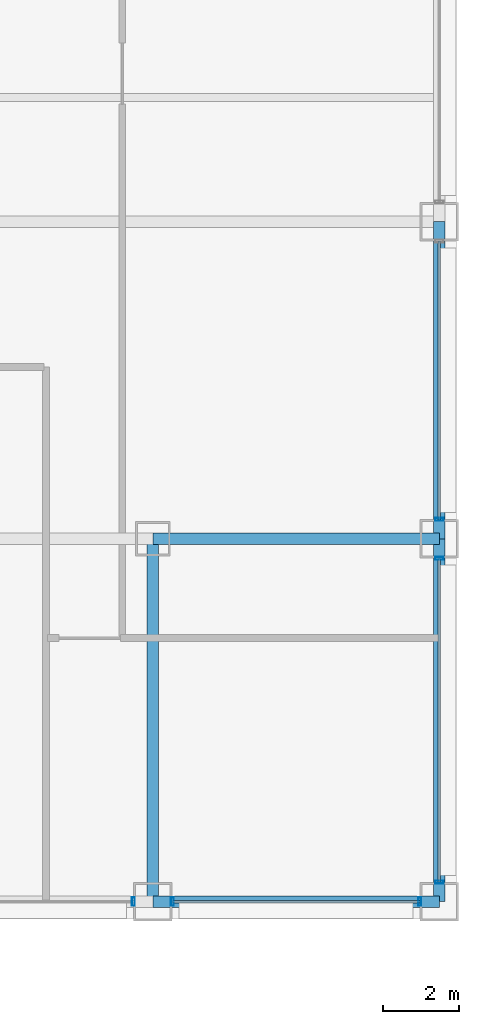
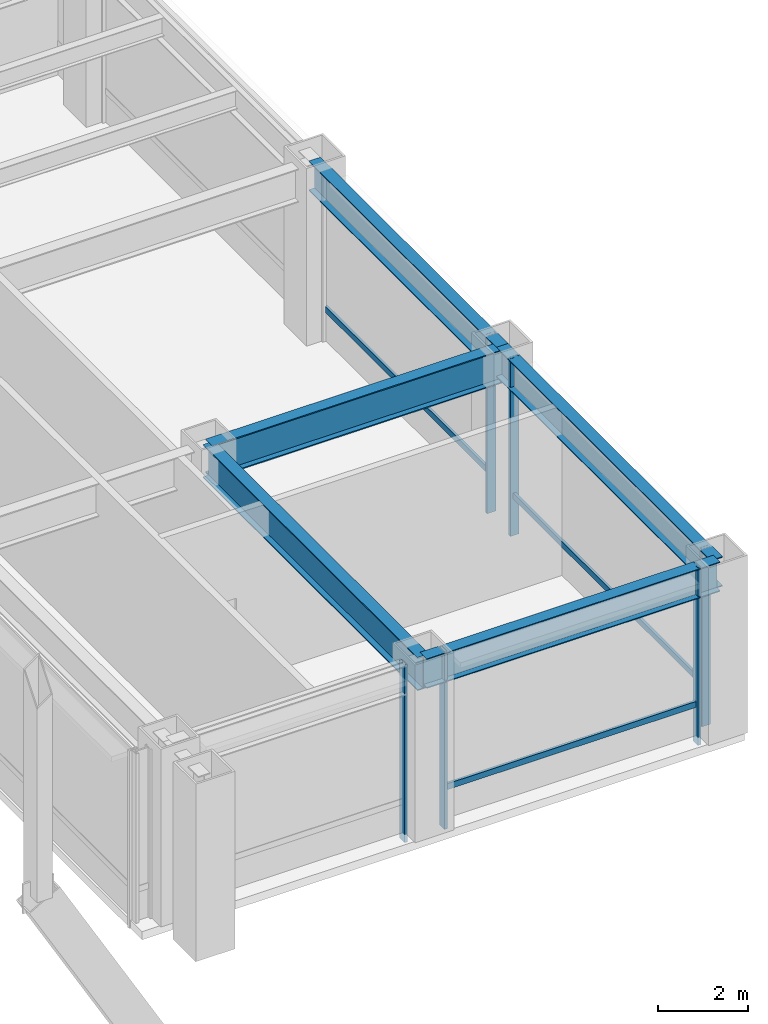
# One storey, part 11 of 40: 9 members, 5 beams, 4 elements without a shape of their own.
"""IFC4 building model written with IfcOpenShell, lengths in metres."""

from ifc_helpers import new_model, si_unit, direction, frame, origin, origin_2d, place, context, subcontext, project, spatial, hollow_rectangle, i_section, extrude, material, layer, layer_set, material_profile, profile_set, type_object, element, aggregate, save


model = new_model("IFC4")

# Units and contexts
model_context = context("Model", 3, precision=1e-05, world=origin(), true_north=direction((0.0, 1.0)))
body_context = subcontext(model_context, "Body", "Model", "MODEL_VIEW")
ifc_project = project(units=[si_unit("LENGTHUNIT", "METRE"), si_unit("AREAUNIT", "SQUARE_METRE"), si_unit("VOLUMEUNIT", "CUBIC_METRE"), si_unit("PLANEANGLEUNIT", "RADIAN"), si_unit("MASSUNIT", "GRAM", prefix="KILO")], contexts=[model_context])

# Site, building, storey
site_placement = place(None, origin())
site = spatial("IfcSite", under=ifc_project, at=site_placement, CompositionType="ELEMENT")
building_placement = place(site_placement, origin())
building = spatial("IfcBuilding", under=site, at=building_placement, Name="Brelmoor Portico Tower", CompositionType="ELEMENT")
storey_placement = place(building_placement, frame((0.0, 0.0, 4.800048828125)))
storey = spatial("IfcBuildingStorey", under=building, at=storey_placement, Name="L01", CompositionType="ELEMENT", Elevation=4.800048828125)

# Beams
ifc_material_1 = material(Name="Steel Q355B", Category="steel")
ifc_material_profile_1 = material_profile(ifc_material_1, i_section(OverallWidth=0.300048828125, OverallDepth=0.89990234375, WebThickness=0.01611328125, FlangeThickness=0.028076171875, at=origin_2d()), Name="HN 900x300x16x28")
ifc_profile_set_1 = profile_set([ifc_material_profile_1], Name="Steel Q355B")
beam_type_1 = type_object("IfcBeamType", Name="BM-PG-900", PredefinedType="BEAM", material=ifc_profile_set_1)
beam_1_placement = place(storey_placement, frame((21.050048828125, -27.550048828125, 4.1298828125), z_axis=(0.0, 1.0, 0.0), x_axis=(-1.0, 0.0, 0.0)))
element("IfcBeam", 1, at=beam_1_placement, inside=storey, type_object=beam_type_1, Name="L01 Primary Floor Girder PG-19", PredefinedType="BEAM", context=body_context, shape_type="SweptSolid", body=[
    extrude(i_section(OverallWidth=0.300048828125, OverallDepth=0.89990234375, WebThickness=0.01611328125, FlangeThickness=0.028076171875, at=origin_2d()), origin(), (0.0, 0.0, 1.0), 9.5),
])
beam_2_placement = place(storey_placement, frame((21.050048828125, -18.050048828125, 4.1298828125), z_axis=(1.0, 0.0, 0.0), x_axis=(0.0, 1.0, 0.0)))
element("IfcBeam", 2, at=beam_2_placement, inside=storey, type_object=beam_type_1, Name="L01 Primary Floor Girder PG-24", PredefinedType="BEAM", context=body_context, shape_type="SweptSolid", body=[
    extrude(i_section(OverallWidth=0.300048828125, OverallDepth=0.89990234375, WebThickness=0.01611328125, FlangeThickness=0.028076171875, at=origin_2d()), origin(), (0.0, 0.0, 1.0), 7.5),
])
ifc_material_profile_2 = material_profile(ifc_material_1, i_section(OverallWidth=0.300048828125, OverallDepth=0.800048828125, WebThickness=0.013916015625, FlangeThickness=0.02587890625, at=origin_2d()), Name="HN 800x300x14x26")
ifc_profile_set_2 = profile_set([ifc_material_profile_2], Name="Steel Q355B")
beam_type_2 = type_object("IfcBeamType", Name="BM-SP-800", PredefinedType="SPANDREL", material=ifc_profile_set_2)
beam_3_placement = place(storey_placement, frame((21.050048828125, -27.550048828125, 4.179931640625), z_axis=(1.0, 0.0, 0.0), x_axis=(0.0, 1.0, 0.0)))
element("IfcBeam", 3, at=beam_3_placement, inside=storey, type_object=beam_type_2, Name="L01 Perimeter Spandrel Beam SP-04", PredefinedType="SPANDREL", context=body_context, shape_type="SweptSolid", body=[
    extrude(i_section(OverallWidth=0.300048828125, OverallDepth=0.800048828125, WebThickness=0.013916015625, FlangeThickness=0.02587890625, at=origin_2d()), origin(), (0.0, 0.0, 1.0), 7.5),
])
beam_4_placement = place(storey_placement, frame((28.550048828125, -27.550048828125, 4.179931640625), z_axis=(0.0, 1.0, 0.0), x_axis=(-1.0, 0.0, 0.0)))
element("IfcBeam", 4, at=beam_4_placement, inside=storey, type_object=beam_type_2, Name="L01 Perimeter Spandrel Beam SP-15", PredefinedType="SPANDREL", context=body_context, shape_type="SweptSolid", body=[
    extrude(i_section(OverallWidth=0.300048828125, OverallDepth=0.800048828125, WebThickness=0.013916015625, FlangeThickness=0.02587890625, at=origin_2d()), origin(), (0.0, 0.0, 1.0), 9.5),
])
beam_5_placement = place(storey_placement, frame((28.550048828125, -18.050048828125, 4.179931640625), z_axis=(0.0, 1.0, 0.0), x_axis=(-1.0, 0.0, 0.0)))
element("IfcBeam", 5, at=beam_5_placement, inside=storey, type_object=beam_type_2, Name="L01 Perimeter Spandrel Beam SP-16", PredefinedType="SPANDREL", context=body_context, shape_type="SweptSolid", body=[
    extrude(i_section(OverallWidth=0.300048828125, OverallDepth=0.800048828125, WebThickness=0.013916015625, FlangeThickness=0.02587890625, at=origin_2d()), origin(), (0.0, 0.0, 1.0), 8.300048828125),
])

# Curtain wall, member
ifc_material_2 = material(Name="Anodised Aluminium Alloy 6063-T6", Category="aluminium")
ifc_layer = layer(ifc_material_2, 0.179931640625)
ifc_layer_set = layer_set([ifc_layer], Name="Anodised Aluminium Alloy 6063-T6")
curtain_wall_type = type_object("IfcCurtainWallType", Name="CW-PODIUM-ARCH", PredefinedType="NOTDEFINED", material=ifc_layer_set)
curtain_wall_1_placement = place(storey_placement, origin())
curtain_wall_1 = element("IfcCurtainWall", 6, at=curtain_wall_1_placement, inside=storey, type_object=curtain_wall_type, Name="L01 Curtain Wall CW-L01-02-2", PredefinedType="NOTDEFINED")
ifc_material_profile_3 = material_profile(ifc_material_2, hollow_rectangle(XDim=0.074951171875, YDim=0.219970703125, WallThickness=0.0048828125, at=origin_2d()), Name="ALU MULLION 75x220")
ifc_profile_set_3 = profile_set([ifc_material_profile_3], Name="Anodised Aluminium Alloy 6063-T6")
member_type_1 = type_object("IfcMemberType", Name="MB-CW-MULL-220", PredefinedType="MULLION", material=ifc_profile_set_3)
member_1_placement = place(storey_placement, frame((20.5400390625, -27.550048828125, -0.219970703125), z_axis=(0.0, 0.0, 1.0), x_axis=(1.0, 0.0, 0.0)))
member_1 = element("IfcMember", 7, at=member_1_placement, type_object=member_type_1, Name="CW-L01-02-2 Mullion 01", PredefinedType="MULLION", context=body_context, shape_type="SweptSolid", body=[
    extrude(hollow_rectangle(XDim=0.074951171875, YDim=0.219970703125, WallThickness=0.0048828125, at=origin_2d()), origin(), (0.0, 0.0, 1.0), 4.7998046875),
])
aggregate(curtain_wall_1, [member_1])

# Curtain wall, members
curtain_wall_2_placement = place(storey_placement, origin())
curtain_wall_2 = element("IfcCurtainWall", 8, at=curtain_wall_2_placement, inside=storey, type_object=curtain_wall_type, Name="L01 Curtain Wall CW-L01-02-3", PredefinedType="NOTDEFINED")
member_2_placement = place(storey_placement, frame((21.56005859375, -27.550048828125, -0.219970703125), z_axis=(0.0, 0.0, 1.0), x_axis=(1.0, 0.0, 0.0)))
member_2 = element("IfcMember", 9, at=member_2_placement, type_object=member_type_1, Name="CW-L01-02-3 Mullion 00", PredefinedType="MULLION", context=body_context, shape_type="SweptSolid", body=[
    extrude(hollow_rectangle(XDim=0.074951171875, YDim=0.219970703125, WallThickness=0.0048828125, at=origin_2d()), origin(), (0.0, 0.0, 1.0), 4.7998046875),
])
member_3_placement = place(storey_placement, frame((28.0400390625, -27.550048828125, -0.219970703125), z_axis=(0.0, 0.0, 1.0), x_axis=(1.0, 0.0, 0.0)))
member_3 = element("IfcMember", 10, at=member_3_placement, type_object=member_type_1, Name="CW-L01-02-3 Mullion 01", PredefinedType="MULLION", context=body_context, shape_type="SweptSolid", body=[
    extrude(hollow_rectangle(XDim=0.074951171875, YDim=0.219970703125, WallThickness=0.0048828125, at=origin_2d()), origin(), (0.0, 0.0, 1.0), 4.7998046875),
])

curtain_wall_3_placement = place(storey_placement, origin())
curtain_wall_3 = element("IfcCurtainWall", 11, at=curtain_wall_3_placement, inside=storey, type_object=curtain_wall_type, Name="L01 Curtain Wall CW-L01-06-1", PredefinedType="NOTDEFINED")
member_4_placement = place(storey_placement, frame((28.550048828125, -27.0400390625, -0.219970703125), z_axis=(0.0, 0.0, 1.0), x_axis=(0.0, 1.0, 0.0)))
member_4 = element("IfcMember", 12, at=member_4_placement, type_object=member_type_1, Name="CW-L01-06-1 Mullion 00", PredefinedType="MULLION", context=body_context, shape_type="SweptSolid", body=[
    extrude(hollow_rectangle(XDim=0.074951171875, YDim=0.219970703125, WallThickness=0.0048828125, at=origin_2d()), origin(), (0.0, 0.0, 1.0), 4.7998046875),
])
member_5_placement = place(storey_placement, frame((28.550048828125, -18.56005859375, -0.219970703125), z_axis=(0.0, 0.0, 1.0), x_axis=(0.0, 1.0, 0.0)))
member_5 = element("IfcMember", 13, at=member_5_placement, type_object=member_type_1, Name="CW-L01-06-1 Mullion 01", PredefinedType="MULLION", context=body_context, shape_type="SweptSolid", body=[
    extrude(hollow_rectangle(XDim=0.074951171875, YDim=0.219970703125, WallThickness=0.0048828125, at=origin_2d()), origin(), (0.0, 0.0, 1.0), 4.7998046875),
])

# Curtain wall, member
curtain_wall_4_placement = place(storey_placement, origin())
curtain_wall_4 = element("IfcCurtainWall", 14, at=curtain_wall_4_placement, inside=storey, type_object=curtain_wall_type, Name="L01 Curtain Wall CW-L01-06-2", PredefinedType="NOTDEFINED")
member_6_placement = place(storey_placement, frame((28.550048828125, -17.5400390625, -0.219970703125), z_axis=(0.0, 0.0, 1.0), x_axis=(0.0, 1.0, 0.0)))
member_6 = element("IfcMember", 15, at=member_6_placement, type_object=member_type_1, Name="CW-L01-06-2 Mullion 00", PredefinedType="MULLION", context=body_context, shape_type="SweptSolid", body=[
    extrude(hollow_rectangle(XDim=0.074951171875, YDim=0.219970703125, WallThickness=0.0048828125, at=origin_2d()), origin(), (0.0, 0.0, 1.0), 4.7998046875),
])

# Member
ifc_material_profile_4 = material_profile(ifc_material_2, hollow_rectangle(XDim=0.070068359375, YDim=0.159912109375, WallThickness=0.00390625, at=origin_2d()), Name="ALU TRANSOM 70x160")
ifc_profile_set_4 = profile_set([ifc_material_profile_4], Name="Anodised Aluminium Alloy 6063-T6")
member_type_2 = type_object("IfcMemberType", Name="MB-CW-TRAN-160", PredefinedType="USERDEFINED", material=ifc_profile_set_4)
member_7_placement = place(storey_placement, frame((21.56005859375, -27.550048828125, 0.849853515625), z_axis=(1.0, 0.0, 0.0), x_axis=(0.0, 1.0, 0.0)))
member_7 = element("IfcMember", 16, at=member_7_placement, type_object=member_type_2, Name="CW-L01-02-3 Transom 1-00", ObjectType="TRANSOM", PredefinedType="USERDEFINED", context=body_context, shape_type="SweptSolid", body=[
    extrude(hollow_rectangle(XDim=0.070068359375, YDim=0.159912109375, WallThickness=0.00390625, at=origin_2d()), origin(), (0.0, 0.0, 1.0), 6.47998046875),
])

aggregate(curtain_wall_2, [member_2, member_3, member_7])

member_8_placement = place(storey_placement, frame((28.550048828125, -27.0400390625, 0.849853515625), z_axis=(0.0, 1.0, 0.0), x_axis=(-1.0, 0.0, 0.0)))
member_8 = element("IfcMember", 17, at=member_8_placement, type_object=member_type_2, Name="CW-L01-06-1 Transom 1-00", ObjectType="TRANSOM", PredefinedType="USERDEFINED", context=body_context, shape_type="SweptSolid", body=[
    extrude(hollow_rectangle(XDim=0.070068359375, YDim=0.159912109375, WallThickness=0.00390625, at=origin_2d()), origin(), (0.0, 0.0, 1.0), 8.47998046875),
])

aggregate(curtain_wall_3, [member_4, member_5, member_8])

member_9_placement = place(storey_placement, frame((28.550048828125, -17.5400390625, 0.849853515625), z_axis=(0.0, 1.0, 0.0), x_axis=(-1.0, 0.0, 0.0)))
member_9 = element("IfcMember", 18, at=member_9_placement, type_object=member_type_2, Name="CW-L01-06-2 Transom 1-00", ObjectType="TRANSOM", PredefinedType="USERDEFINED", context=body_context, shape_type="SweptSolid", body=[
    extrude(hollow_rectangle(XDim=0.070068359375, YDim=0.159912109375, WallThickness=0.00390625, at=origin_2d()), origin(), (0.0, 0.0, 1.0), 7.280029296875),
])

aggregate(curtain_wall_4, [member_6, member_9])

save(model, "model.ifc")
